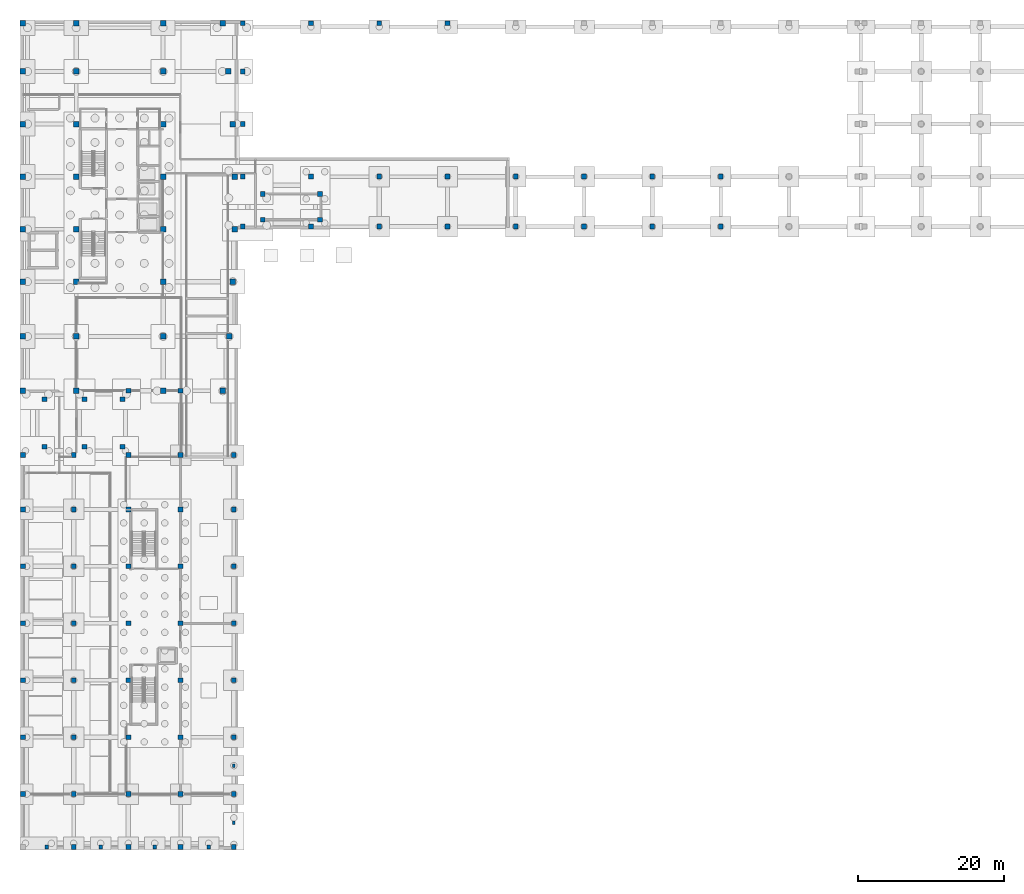
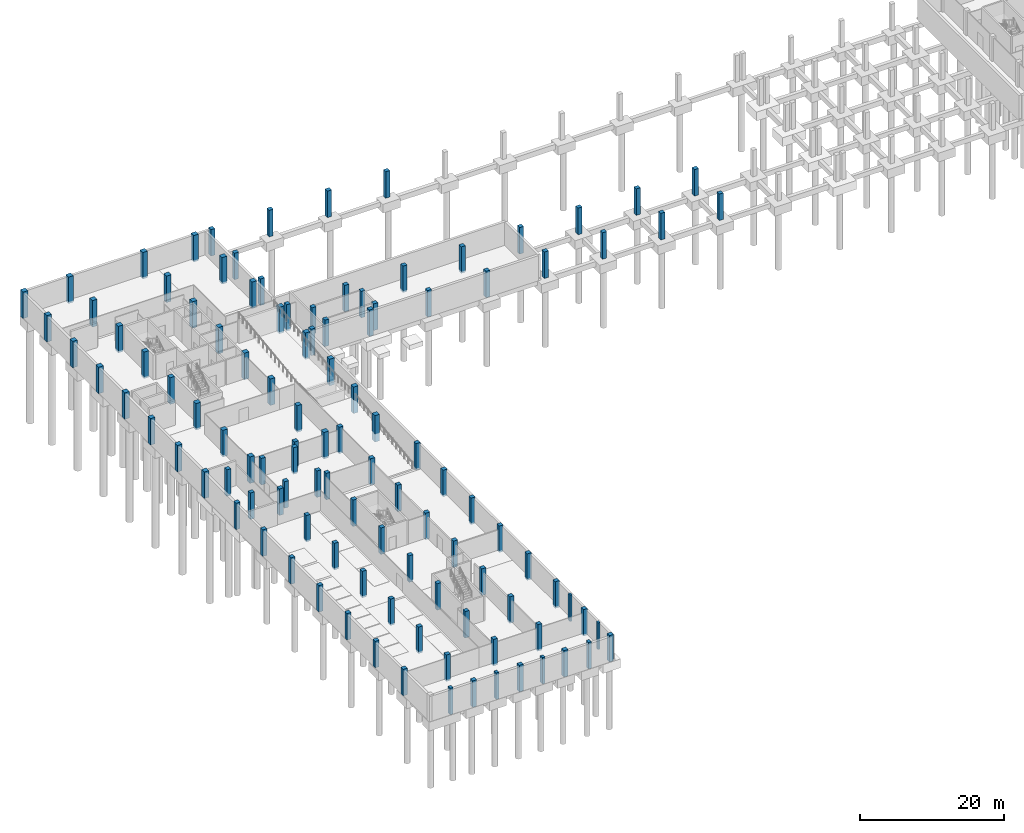
# One storey, part 8 of 21: 111 columns.
"""IFC4 building model written with IfcOpenShell, lengths in metres."""

from ifc_helpers import new_model, si_unit, direction, frame, origin, origin_2d, place, context, subcontext, project, spatial, rectangle, extrude, material, material_profile, profile_set, type_object, element, save


model = new_model("IFC4")

# Units and contexts
model_context = context("Model", 3, precision=1e-05, world=origin(), true_north=direction((0.0, 1.0)))
body_context = subcontext(model_context, "Body", "Model", "MODEL_VIEW")
ifc_project = project(units=[si_unit("LENGTHUNIT", "METRE"), si_unit("AREAUNIT", "SQUARE_METRE"), si_unit("VOLUMEUNIT", "CUBIC_METRE"), si_unit("PLANEANGLEUNIT", "RADIAN"), si_unit("MASSUNIT", "GRAM", prefix="KILO")], contexts=[model_context])

# Site, building, storey
site_placement = place(None, origin())
site = spatial("IfcSite", under=ifc_project, at=site_placement, CompositionType="ELEMENT")
building_placement = place(site_placement, origin())
building = spatial("IfcBuilding", under=site, at=building_placement, Name="Quillay Park Conservatory", CompositionType="ELEMENT")
storey_placement = place(building_placement, frame((0.0, 0.0, -8.39990234375)))
storey = spatial("IfcBuildingStorey", under=building, at=storey_placement, Name="B2", CompositionType="ELEMENT", Elevation=-8.39990234375)

# Columns
ifc_material_1 = material(Name="Concrete C35/45 (NCh170 Concrete C35/45)", Category="concrete")
ifc_material_profile_1 = material_profile(ifc_material_1, rectangle(XDim=0.35009765625, YDim=0.5, at=origin_2d()), Name="RC500x350")
ifc_profile_set_1 = profile_set([ifc_material_profile_1], Name="Concrete C35/45 (NCh170 Concrete C35/45)")
column_type_1 = type_object("IfcColumnType", Name="ENGAGED CONCRETE PILASTER 500 X350", PredefinedType="PILASTER", material=ifc_profile_set_1)
for number, where, z_axis, x_axis, name in (
    (1, (29.449951171875, 3.89990234375, -0.300048828125), (0.0, 0.0, 1.0), (1.0, 0.0, 0.0), "B2 column PIL-V3-B2-4"),
    (2, (29.449951171875, 11.699951171875, -0.300048828125), (0.0, 0.0, 1.0), (1.0, 0.0, 0.0), "B2 column PIL-V3-B2-5"),
):
    element("IfcColumn", number, at=place(storey_placement, frame(where, z_axis=z_axis, x_axis=x_axis)), inside=storey, type_object=column_type_1, Name=name, PredefinedType="PILASTER", context=body_context, shape_type="SweptSolid", body=[
        extrude(rectangle(XDim=0.35009765625, YDim=0.5, at=origin_2d()), origin(), (0.0, 0.0, 1.0), 4.5),
    ])
ifc_material_2 = material(Name="Concrete C35/45 (NCh170 Concrete C35/45)", Category="concrete")
ifc_material_profile_2 = material_profile(ifc_material_2, rectangle(XDim=0.449951171875, YDim=0.60009765625, at=origin_2d()), Name="RC600x450")
ifc_profile_set_2 = profile_set([ifc_material_profile_2], Name="Concrete C35/45 (NCh170 Concrete C35/45)")
column_type_2 = type_object("IfcColumnType", Name="ENGAGED CONCRETE PILASTER 600 X450", PredefinedType="PILASTER", material=ifc_profile_set_2)
for number, where, z_axis, x_axis, name in (
    (3, (3.800048828125, 0.550048828125, -0.300048828125), (0.0, 0.0, 1.0), (1.0, 0.0, 0.0), "B2 column PIL-V3-B2-0"),
    (4, (11.199951171875, 0.550048828125, -0.300048828125), (0.0, 0.0, 1.0), (1.0, 0.0, 0.0), "B2 column PIL-V3-B2-1"),
    (5, (18.60009765625, 0.550048828125, -0.300048828125), (0.0, 0.0, 1.0), (1.0, 0.0, 0.0), "B2 column PIL-V3-B2-2"),
    (6, (26.0, 0.550048828125, -0.300048828125), (0.0, 0.0, 1.0), (1.0, 0.0, 0.0), "B2 column PIL-V3-B2-3"),
):
    element("IfcColumn", number, at=place(storey_placement, frame(where, z_axis=z_axis, x_axis=x_axis)), inside=storey, type_object=column_type_2, Name=name, PredefinedType="PILASTER", context=body_context, shape_type="SweptSolid", body=[
        extrude(rectangle(XDim=0.449951171875, YDim=0.60009765625, at=origin_2d()), origin(), (0.0, 0.0, 1.0), 4.5),
    ])
ifc_material_3 = material(Name="Concrete C40/50 (NCh170 Concrete C40/50)", Category="concrete")
ifc_material_profile_3 = material_profile(ifc_material_3, rectangle(XDim=0.64990234375, YDim=0.64990234375, at=origin_2d()), Name="RC650x650")
ifc_profile_set_3 = profile_set([ifc_material_profile_3], Name="Concrete C40/50 (NCh170 Concrete C40/50)")
column_type_3 = type_object("IfcColumnType", Name="REINFORCED CONCRETE COLUMN 650", PredefinedType="COLUMN", material=ifc_profile_set_3)
for number, where, z_axis, x_axis, name in (
    (7, (0.550048828125, 7.800048828125, -0.300048828125), (0.0, 0.0, 1.0), (1.0, 0.0, 0.0), "B2 column COL-V3-B2-0-1"),
    (8, (0.550048828125, 15.60009765625, -0.300048828125), (0.0, 0.0, 1.0), (1.0, 0.0, 0.0), "B2 column COL-V3-B2-0-2"),
    (9, (0.550048828125, 23.39990234375, -0.300048828125), (0.0, 0.0, 1.0), (1.0, 0.0, 0.0), "B2 column COL-V3-B2-0-3"),
    (10, (0.550048828125, 31.199951171875, -0.300048828125), (0.0, 0.0, 1.0), (1.0, 0.0, 0.0), "B2 column COL-V3-B2-0-4"),
    (11, (0.550048828125, 39.0, -0.300048828125), (0.0, 0.0, 1.0), (1.0, 0.0, 0.0), "B2 column COL-V3-B2-0-5"),
    (12, (0.550048828125, 46.800048828125, -0.300048828125), (0.0, 0.0, 1.0), (1.0, 0.0, 0.0), "B2 column COL-V3-B2-0-6"),
    (13, (0.550048828125, 54.25, -0.300048828125), (0.0, 0.0, 1.0), (1.0, 0.0, 0.0), "B2 column COL-V3-B2-0-7"),
    (14, (7.5, 0.550048828125, -0.300048828125), (0.0, 0.0, 1.0), (1.0, 0.0, 0.0), "B2 column COL-V3-B2-1-0"),
    (15, (7.5, 7.800048828125, -0.300048828125), (0.0, 0.0, 1.0), (1.0, 0.0, 0.0), "B2 column COL-V3-B2-1-1"),
    (16, (7.5, 15.60009765625, -0.300048828125), (0.0, 0.0, 1.0), (1.0, 0.0, 0.0), "B2 column COL-V3-B2-1-2"),
    (17, (7.5, 23.39990234375, -0.300048828125), (0.0, 0.0, 1.0), (1.0, 0.0, 0.0), "B2 column COL-V3-B2-1-3"),
    (18, (7.5, 31.199951171875, -0.300048828125), (0.0, 0.0, 1.0), (1.0, 0.0, 0.0), "B2 column COL-V3-B2-1-4"),
    (19, (7.5, 39.0, -0.300048828125), (0.0, 0.0, 1.0), (1.0, 0.0, 0.0), "B2 column COL-V3-B2-1-5"),
    (20, (7.5, 46.800048828125, -0.300048828125), (0.0, 0.0, 1.0), (1.0, 0.0, 0.0), "B2 column COL-V3-B2-1-6"),
    (21, (7.5, 54.25, -0.300048828125), (0.0, 0.0, 1.0), (1.0, 0.0, 0.0), "B2 column COL-V3-B2-1-7"),
    (22, (15.0, 0.550048828125, -0.300048828125), (0.0, 0.0, 1.0), (1.0, 0.0, 0.0), "B2 column COL-V3-B2-2-0"),
    (23, (15.0, 7.800048828125, -0.300048828125), (0.0, 0.0, 1.0), (1.0, 0.0, 0.0), "B2 column COL-V3-B2-2-1"),
    (24, (15.0, 15.60009765625, -0.300048828125), (0.0, 0.0, 1.0), (1.0, 0.0, 0.0), "B2 column COL-V3-B2-2-2"),
    (25, (15.0, 23.39990234375, -0.300048828125), (0.0, 0.0, 1.0), (1.0, 0.0, 0.0), "B2 column COL-V3-B2-2-3"),
    (26, (15.0, 31.199951171875, -0.300048828125), (0.0, 0.0, 1.0), (1.0, 0.0, 0.0), "B2 column COL-V3-B2-2-4"),
    (27, (15.0, 39.0, -0.300048828125), (0.0, 0.0, 1.0), (1.0, 0.0, 0.0), "B2 column COL-V3-B2-2-5"),
    (28, (15.0, 46.800048828125, -0.300048828125), (0.0, 0.0, 1.0), (1.0, 0.0, 0.0), "B2 column COL-V3-B2-2-6"),
    (29, (15.0, 54.25, -0.300048828125), (0.0, 0.0, 1.0), (1.0, 0.0, 0.0), "B2 column COL-V3-B2-2-7"),
    (30, (22.14990234375, 0.550048828125, -0.300048828125), (0.0, 0.0, 1.0), (1.0, 0.0, 0.0), "B2 column COL-V3-B2-3-0"),
    (31, (22.14990234375, 7.800048828125, -0.300048828125), (0.0, 0.0, 1.0), (1.0, 0.0, 0.0), "B2 column COL-V3-B2-3-1"),
    (32, (22.14990234375, 15.60009765625, -0.300048828125), (0.0, 0.0, 1.0), (1.0, 0.0, 0.0), "B2 column COL-V3-B2-3-2"),
    (33, (22.14990234375, 23.39990234375, -0.300048828125), (0.0, 0.0, 1.0), (1.0, 0.0, 0.0), "B2 column COL-V3-B2-3-3"),
    (34, (22.14990234375, 31.199951171875, -0.300048828125), (0.0, 0.0, 1.0), (1.0, 0.0, 0.0), "B2 column COL-V3-B2-3-4"),
    (35, (22.14990234375, 39.0, -0.300048828125), (0.0, 0.0, 1.0), (1.0, 0.0, 0.0), "B2 column COL-V3-B2-3-5"),
    (36, (22.14990234375, 46.800048828125, -0.300048828125), (0.0, 0.0, 1.0), (1.0, 0.0, 0.0), "B2 column COL-V3-B2-3-6"),
    (37, (22.14990234375, 54.25, -0.300048828125), (0.0, 0.0, 1.0), (1.0, 0.0, 0.0), "B2 column COL-V3-B2-3-7"),
    (38, (29.449951171875, 0.550048828125, -0.300048828125), (0.0, 0.0, 1.0), (1.0, 0.0, 0.0), "B2 column COL-V3-B2-4-0"),
    (39, (29.449951171875, 7.800048828125, -0.300048828125), (0.0, 0.0, 1.0), (1.0, 0.0, 0.0), "B2 column COL-V3-B2-4-1"),
    (40, (29.449951171875, 15.60009765625, -0.300048828125), (0.0, 0.0, 1.0), (1.0, 0.0, 0.0), "B2 column COL-V3-B2-4-2"),
    (41, (29.449951171875, 23.39990234375, -0.300048828125), (0.0, 0.0, 1.0), (1.0, 0.0, 0.0), "B2 column COL-V3-B2-4-3"),
    (42, (29.449951171875, 31.199951171875, -0.300048828125), (0.0, 0.0, 1.0), (1.0, 0.0, 0.0), "B2 column COL-V3-B2-4-4"),
    (43, (29.449951171875, 39.0, -0.300048828125), (0.0, 0.0, 1.0), (1.0, 0.0, 0.0), "B2 column COL-V3-B2-4-5"),
    (44, (29.449951171875, 46.800048828125, -0.300048828125), (0.0, 0.0, 1.0), (1.0, 0.0, 0.0), "B2 column COL-V3-B2-4-6"),
    (45, (29.449951171875, 54.25, -0.300048828125), (0.0, 0.0, 1.0), (1.0, 0.0, 0.0), "B2 column COL-V3-B2-4-7"),
    (46, (30.64990234375, 85.550048828125, -0.300048828125), (0.0, 0.0, 1.0), (1.0, 0.0, 0.0), "B2 column COL-V1-B2-0-0"),
    (47, (30.64990234375, 92.39990234375, -0.300048828125), (0.0, 0.0, 1.0), (1.0, 0.0, 0.0), "B2 column COL-V1-B2-0-1"),
    (48, (30.64990234375, 113.39990234375, -0.300048828125), (0.0, 0.0, 1.0), (1.0, 0.0, 0.0), "B2 column COL-V1-B2-0-2"),
    (49, (40.005615234375, 85.550048828125, -0.300048828125), (0.0, 0.0, 1.0), (1.0, 0.0, 0.0), "B2 column COL-V1-B2-1-0"),
    (50, (40.005615234375, 92.39990234375, -0.300048828125), (0.0, 0.0, 1.0), (1.0, 0.0, 0.0), "B2 column COL-V1-B2-1-1"),
    (51, (40.005615234375, 113.39990234375, -0.300048828125), (0.0, 0.0, 1.0), (1.0, 0.0, 0.0), "B2 column COL-V1-B2-1-2"),
    (52, (49.361083984375, 85.550048828125, -0.300048828125), (0.0, 0.0, 1.0), (1.0, 0.0, 0.0), "B2 column COL-V1-B2-2-0"),
    (53, (49.361083984375, 92.39990234375, -0.300048828125), (0.0, 0.0, 1.0), (1.0, 0.0, 0.0), "B2 column COL-V1-B2-2-1"),
    (54, (49.361083984375, 113.39990234375, -0.300048828125), (0.0, 0.0, 1.0), (1.0, 0.0, 0.0), "B2 column COL-V1-B2-2-2"),
    (55, (58.716796875, 85.550048828125, -0.300048828125), (0.0, 0.0, 1.0), (1.0, 0.0, 0.0), "B2 column COL-V1-B2-3-0"),
    (56, (58.716796875, 92.39990234375, -0.300048828125), (0.0, 0.0, 1.0), (1.0, 0.0, 0.0), "B2 column COL-V1-B2-3-1"),
    (57, (58.716796875, 113.39990234375, -0.300048828125), (0.0, 0.0, 1.0), (1.0, 0.0, 0.0), "B2 column COL-V1-B2-3-2"),
    (58, (68.072265625, 85.550048828125, -0.300048828125), (0.0, 0.0, 1.0), (1.0, 0.0, 0.0), "B2 column COL-V1-B2-4-0"),
    (59, (68.072265625, 92.39990234375, -0.300048828125), (0.0, 0.0, 1.0), (1.0, 0.0, 0.0), "B2 column COL-V1-B2-4-1"),
    (60, (77.427734375, 85.550048828125, -0.300048828125), (0.0, 0.0, 1.0), (1.0, 0.0, 0.0), "B2 column COL-V1-B2-5-0"),
    (61, (77.427734375, 92.39990234375, -0.300048828125), (0.0, 0.0, 1.0), (1.0, 0.0, 0.0), "B2 column COL-V1-B2-5-1"),
    (62, (86.783203125, 85.550048828125, -0.300048828125), (0.0, 0.0, 1.0), (1.0, 0.0, 0.0), "B2 column COL-V1-B2-6-0"),
    (63, (86.783203125, 92.39990234375, -0.300048828125), (0.0, 0.0, 1.0), (1.0, 0.0, 0.0), "B2 column COL-V1-B2-6-1"),
    (64, (96.138916015625, 85.550048828125, -0.300048828125), (0.0, 0.0, 1.0), (1.0, 0.0, 0.0), "B2 column COL-V1-B2-7-0"),
    (65, (96.138916015625, 92.39990234375, -0.300048828125), (0.0, 0.0, 1.0), (1.0, 0.0, 0.0), "B2 column COL-V1-B2-7-1"),
    (66, (30.64990234375, 99.60009765625, -0.300048828125), (0.0, 0.0, 1.0), (1.0, 0.0, 0.0), "B2 column COL-V1E-B2-W-0"),
    (67, (30.64990234375, 106.800048828125, -0.300048828125), (0.0, 0.0, 1.0), (1.0, 0.0, 0.0), "B2 column COL-V1E-B2-W-1"),
    (68, (33.39990234375, 86.5, -0.300048828125), (0.0, 0.0, 1.0), (1.0, 0.0, 0.0), "B2 column COL-STC1-B2-0-0"),
    (69, (33.39990234375, 90.0, -0.300048828125), (0.0, 0.0, 1.0), (1.0, 0.0, 0.0), "B2 column COL-STC1-B2-0-1"),
    (70, (41.25, 86.5, -0.300048828125), (0.0, 0.0, 1.0), (1.0, 0.0, 0.0), "B2 column COL-STC1-B2-1-0"),
    (71, (41.25, 90.0, -0.300048828125), (0.0, 0.0, 1.0), (1.0, 0.0, 0.0), "B2 column COL-STC1-B2-1-1"),
    (72, (15.0, 63.050048828125, -0.300048828125), (0.0, 0.0, 1.0), (1.0, 0.0, 0.0), "B2 column COL-LB1N-B2-0"),
    (73, (22.14990234375, 63.050048828125, -0.300048828125), (0.0, 0.0, 1.0), (1.0, 0.0, 0.0), "B2 column COL-LB1N-B2-1"),
    (74, (3.5, 55.39990234375, -0.300048828125), (0.0, 0.0, 1.0), (1.0, 0.0, 0.0), "B2 column COL-EC1-B2-0"),
    (75, (9.0, 55.39990234375, -0.300048828125), (0.0, 0.0, 1.0), (1.0, 0.0, 0.0), "B2 column COL-EC1-B2-1"),
    (76, (14.199951171875, 55.39990234375, -0.300048828125), (0.0, 0.0, 1.0), (1.0, 0.0, 0.0), "B2 column COL-EC1-B2-2"),
    (77, (3.5, 61.89990234375, -0.300048828125), (0.0, 0.0, 1.0), (1.0, 0.0, 0.0), "B2 column COL-EC1-B2-3"),
    (78, (9.0, 61.89990234375, -0.300048828125), (0.0, 0.0, 1.0), (1.0, 0.0, 0.0), "B2 column COL-EC1-B2-4"),
    (79, (14.199951171875, 61.89990234375, -0.300048828125), (0.0, 0.0, 1.0), (1.0, 0.0, 0.0), "B2 column COL-EC1-B2-5"),
):
    element("IfcColumn", number, at=place(storey_placement, frame(where, z_axis=z_axis, x_axis=x_axis)), inside=storey, type_object=column_type_3, Name=name, PredefinedType="COLUMN", context=body_context, shape_type="SweptSolid", body=[
        extrude(rectangle(XDim=0.64990234375, YDim=0.64990234375, at=origin_2d()), origin(), (0.0, 0.0, 1.0), 4.5),
    ])
ifc_material_4 = material(Name="Concrete C40/50 (NCh170 Concrete C40/50)", Category="concrete")
ifc_material_profile_4 = material_profile(ifc_material_4, rectangle(XDim=0.75, YDim=0.75, at=origin_2d()), Name="RC750x750")
ifc_profile_set_4 = profile_set([ifc_material_profile_4], Name="Concrete C40/50 (NCh170 Concrete C40/50)")
column_type_4 = type_object("IfcColumnType", Name="REINFORCED CONCRETE COLUMN 750", PredefinedType="COLUMN", material=ifc_profile_set_4)
for number, where, z_axis, x_axis, name in (
    (80, (0.550048828125, 63.050048828125, -0.300048828125), (0.0, 0.0, 1.0), (1.0, 0.0, 0.0), "B2 column COL-V4-B2-0-0"),
    (81, (7.85009765625, 63.050048828125, -0.300048828125), (0.0, 0.0, 1.0), (1.0, 0.0, 0.0), "B2 column COL-V4-B2-0-1"),
    (82, (19.75, 63.050048828125, -0.300048828125), (0.0, 0.0, 1.0), (1.0, 0.0, 0.0), "B2 column COL-V4-B2-0-2"),
    (83, (27.925048828125, 63.050048828125, -0.300048828125), (0.0, 0.0, 1.0), (1.0, 0.0, 0.0), "B2 column COL-V4-B2-0-3"),
    (84, (0.550048828125, 70.5, -0.300048828125), (0.0, 0.0, 1.0), (1.0, 0.0, 0.0), "B2 column COL-V4-B2-1-0"),
    (85, (7.85009765625, 70.5, -0.300048828125), (0.0, 0.0, 1.0), (1.0, 0.0, 0.0), "B2 column COL-V4-B2-1-1"),
    (86, (19.75, 70.5, -0.300048828125), (0.0, 0.0, 1.0), (1.0, 0.0, 0.0), "B2 column COL-V4-B2-1-2"),
    (87, (28.800048828125, 70.5, -0.300048828125), (0.0, 0.0, 1.0), (1.0, 0.0, 0.0), "B2 column COL-V4-B2-1-3"),
    (88, (0.550048828125, 78.0, -0.300048828125), (0.0, 0.0, 1.0), (1.0, 0.0, 0.0), "B2 column COL-V4-B2-2-0"),
    (89, (7.85009765625, 78.0, -0.300048828125), (0.0, 0.0, 1.0), (1.0, 0.0, 0.0), "B2 column COL-V4-B2-2-1"),
    (90, (19.75, 78.0, -0.300048828125), (0.0, 0.0, 1.0), (1.0, 0.0, 0.0), "B2 column COL-V4-B2-2-2"),
    (91, (29.300048828125, 78.0, -0.300048828125), (0.0, 0.0, 1.0), (1.0, 0.0, 0.0), "B2 column COL-V4-B2-2-3"),
    (92, (0.550048828125, 85.199951171875, -0.300048828125), (0.0, 0.0, 1.0), (1.0, 0.0, 0.0), "B2 column COL-V4-B2-3-0"),
    (93, (7.85009765625, 85.199951171875, -0.300048828125), (0.0, 0.0, 1.0), (1.0, 0.0, 0.0), "B2 column COL-V4-B2-3-1"),
    (94, (19.75, 85.199951171875, -0.300048828125), (0.0, 0.0, 1.0), (1.0, 0.0, 0.0), "B2 column COL-V4-B2-3-2"),
    (95, (29.550048828125, 85.199951171875, -0.300048828125), (0.0, 0.0, 1.0), (1.0, 0.0, 0.0), "B2 column COL-V4-B2-3-3"),
    (96, (0.550048828125, 92.39990234375, -0.300048828125), (0.0, 0.0, 1.0), (1.0, 0.0, 0.0), "B2 column COL-V4-B2-4-0"),
    (97, (7.85009765625, 92.39990234375, -0.300048828125), (0.0, 0.0, 1.0), (1.0, 0.0, 0.0), "B2 column COL-V4-B2-4-1"),
    (98, (19.75, 92.39990234375, -0.300048828125), (0.0, 0.0, 1.0), (1.0, 0.0, 0.0), "B2 column COL-V4-B2-4-2"),
    (99, (29.550048828125, 92.39990234375, -0.300048828125), (0.0, 0.0, 1.0), (1.0, 0.0, 0.0), "B2 column COL-V4-B2-4-3"),
    (100, (0.550048828125, 99.60009765625, -0.300048828125), (0.0, 0.0, 1.0), (1.0, 0.0, 0.0), "B2 column COL-V4-B2-5-0"),
    (101, (7.85009765625, 99.60009765625, -0.300048828125), (0.0, 0.0, 1.0), (1.0, 0.0, 0.0), "B2 column COL-V4-B2-5-1"),
    (102, (19.75, 99.60009765625, -0.300048828125), (0.0, 0.0, 1.0), (1.0, 0.0, 0.0), "B2 column COL-V4-B2-5-2"),
    (103, (29.300048828125, 99.60009765625, -0.300048828125), (0.0, 0.0, 1.0), (1.0, 0.0, 0.0), "B2 column COL-V4-B2-5-3"),
    (104, (0.550048828125, 106.800048828125, -0.300048828125), (0.0, 0.0, 1.0), (1.0, 0.0, 0.0), "B2 column COL-V4-B2-6-0"),
    (105, (7.85009765625, 106.800048828125, -0.300048828125), (0.0, 0.0, 1.0), (1.0, 0.0, 0.0), "B2 column COL-V4-B2-6-1"),
    (106, (19.75, 106.800048828125, -0.300048828125), (0.0, 0.0, 1.0), (1.0, 0.0, 0.0), "B2 column COL-V4-B2-6-2"),
    (107, (28.675048828125, 106.800048828125, -0.300048828125), (0.0, 0.0, 1.0), (1.0, 0.0, 0.0), "B2 column COL-V4-B2-6-3"),
    (108, (0.550048828125, 113.39990234375, -0.300048828125), (0.0, 0.0, 1.0), (1.0, 0.0, 0.0), "B2 column COL-V4-B2-7-0"),
    (109, (7.85009765625, 113.39990234375, -0.300048828125), (0.0, 0.0, 1.0), (1.0, 0.0, 0.0), "B2 column COL-V4-B2-7-1"),
    (110, (19.75, 113.39990234375, -0.300048828125), (0.0, 0.0, 1.0), (1.0, 0.0, 0.0), "B2 column COL-V4-B2-7-2"),
    (111, (27.925048828125, 113.39990234375, -0.300048828125), (0.0, 0.0, 1.0), (1.0, 0.0, 0.0), "B2 column COL-V4-B2-7-3"),
):
    element("IfcColumn", number, at=place(storey_placement, frame(where, z_axis=z_axis, x_axis=x_axis)), inside=storey, type_object=column_type_4, Name=name, PredefinedType="COLUMN", context=body_context, shape_type="SweptSolid", body=[
        extrude(rectangle(XDim=0.75, YDim=0.75, at=origin_2d()), origin(), (0.0, 0.0, 1.0), 4.5),
    ])

save(model, "model.ifc")
